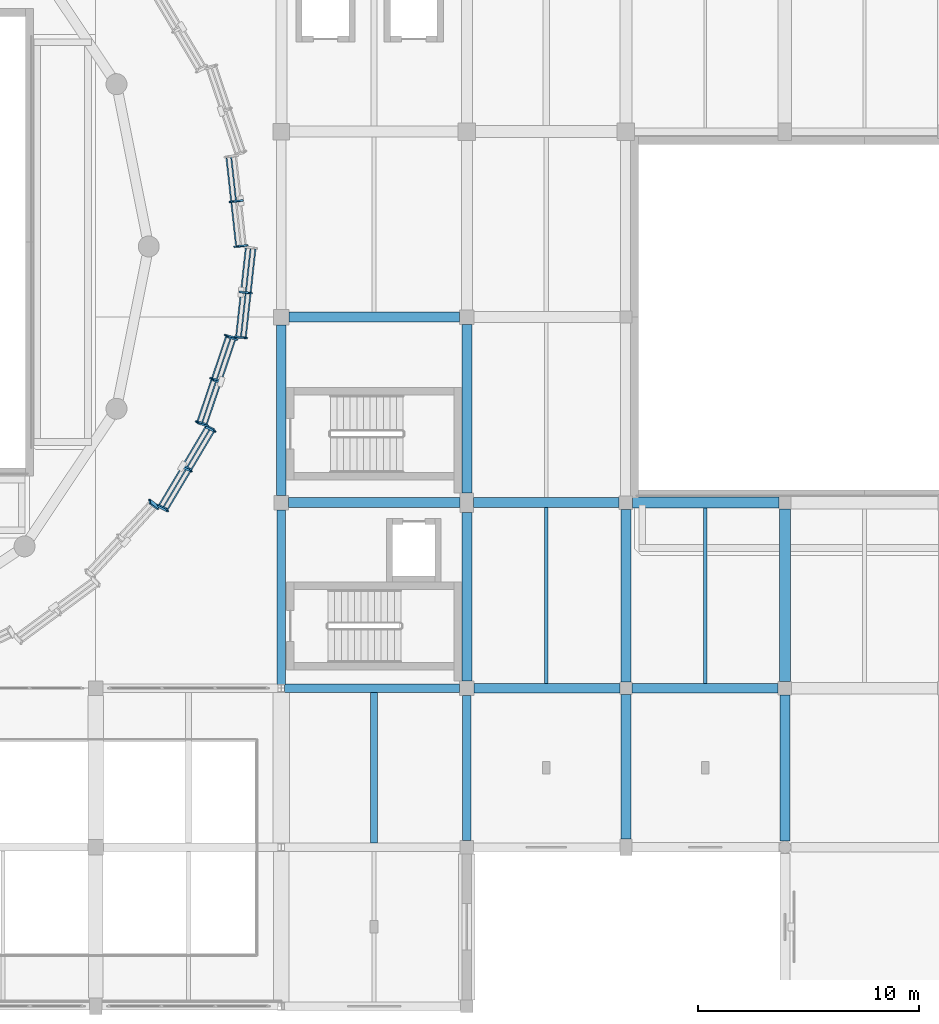
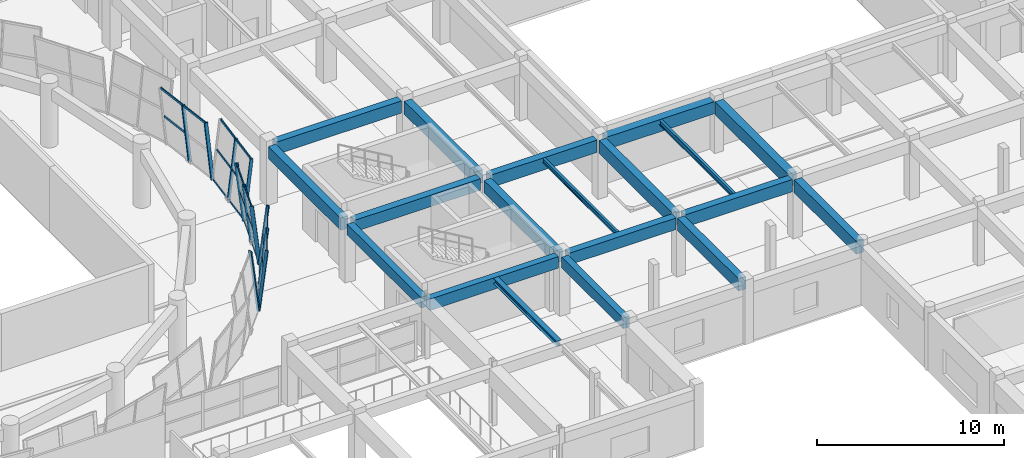
# One storey, part 30 of 71: 32 members, 19 beams, 5 elements without a shape of their own.
"""IFC4 building model written with IfcOpenShell, lengths in metres."""

from ifc_helpers import new_model, si_unit, direction, frame, origin, origin_2d, place, context, subcontext, project, spatial, rectangle, hollow_rectangle, i_section, extrude, material, material_profile, profile_set, type_object, element, aggregate, save


model = new_model("IFC4")

# Units and contexts
model_context = context("Model", 3, precision=1e-05, world=origin(), true_north=direction((0.0, 1.0)))
body_context = subcontext(model_context, "Body", "Model", "MODEL_VIEW")
ifc_project = project(units=[si_unit("LENGTHUNIT", "METRE"), si_unit("AREAUNIT", "SQUARE_METRE"), si_unit("VOLUMEUNIT", "CUBIC_METRE"), si_unit("PLANEANGLEUNIT", "RADIAN"), si_unit("MASSUNIT", "GRAM", prefix="KILO")], contexts=[model_context])

# Site, building, storey
site_placement = place(None, origin())
site = spatial("IfcSite", under=ifc_project, at=site_placement, CompositionType="ELEMENT")
building_placement = place(site_placement, origin())
building = spatial("IfcBuilding", under=site, at=building_placement, Name="Korsvaeld Concert Hall", CompositionType="ELEMENT")
storey_placement = place(building_placement, frame((0.0, 0.0, 4.800048828125)))
storey = spatial("IfcBuildingStorey", under=building, at=storey_placement, Name="L01", CompositionType="ELEMENT", Elevation=4.800048828125)

# Beams
ifc_material_1 = material(Name="Concrete C35/45", Category="concrete")
ifc_material_profile_1 = material_profile(ifc_material_1, rectangle(XDim=0.39990234375, YDim=0.699951171875, at=origin_2d()), Name="RC 400x700")
ifc_profile_set_1 = profile_set([ifc_material_profile_1], Name="Concrete C35/45")
beam_type_1 = type_object("IfcBeamType", Name="BM-RC-400x700", PredefinedType="T_BEAM", material=ifc_profile_set_1)
beam_1_placement = place(storey_placement, frame((109.199951171875, 43.3798828125, 3.489990234375), z_axis=(0.0, 1.0, 0.0), x_axis=(-1.0, 0.0, 0.0)))
element("IfcBeam", 1, at=beam_1_placement, inside=storey, type_object=beam_type_1, Name="Primary girder 15/G-H L01", PredefinedType="T_BEAM", context=body_context, shape_type="SweptSolid", body=[
    extrude(rectangle(XDim=0.39990234375, YDim=0.699951171875, at=origin_2d()), origin(), (0.0, 0.0, 1.0), 7.89501953125),
])
beam_2_placement = place(storey_placement, frame((117.60009765625, 36.300048828125, 3.489990234375), z_axis=(0.0, 1.0, 0.0), x_axis=(-1.0, 0.0, 0.0)))
element("IfcBeam", 2, at=beam_2_placement, inside=storey, type_object=beam_type_1, Name="Primary girder 16/F-G L01", PredefinedType="T_BEAM", context=body_context, shape_type="SweptSolid", body=[
    extrude(rectangle(XDim=0.39990234375, YDim=0.699951171875, at=origin_2d()), origin(), (0.0, 0.0, 1.0), 6.574951171875),
])
ifc_material_profile_2 = material_profile(ifc_material_1, rectangle(XDim=0.39990234375, YDim=0.75, at=origin_2d()), Name="RC 400x750")
ifc_profile_set_2 = profile_set([ifc_material_profile_2], Name="Concrete C35/45")
beam_type_2 = type_object("IfcBeamType", Name="BM-RC-400x750", PredefinedType="T_BEAM", material=ifc_profile_set_2)
beam_3_placement = place(storey_placement, frame((109.35009765625, 43.199951171875, 3.46484375), z_axis=(1.0, 0.0, 0.0), x_axis=(0.0, 1.0, 0.0)))
element("IfcBeam", 3, at=beam_3_placement, inside=storey, type_object=beam_type_2, Name="Primary girder 15-16/G L01", PredefinedType="T_BEAM", context=body_context, shape_type="SweptSolid", body=[
    extrude(rectangle(XDim=0.39990234375, YDim=0.75, at=origin_2d()), origin(), (0.0, 0.0, 1.0), 7.9248046875),
])
ifc_material_profile_3 = material_profile(ifc_material_1, rectangle(XDim=0.449951171875, YDim=0.75, at=origin_2d()), Name="RC 450x750")
ifc_profile_set_3 = profile_set([ifc_material_profile_3], Name="Concrete C35/45")
beam_type_3 = type_object("IfcBeamType", Name="BM-RC-450x750", PredefinedType="T_BEAM", material=ifc_profile_set_3)
beam_4_placement = place(storey_placement, frame((117.925048828125, 43.199951171875, 3.46484375), z_axis=(1.0, 0.0, 0.0), x_axis=(0.0, 1.0, 0.0)))
element("IfcBeam", 4, at=beam_4_placement, inside=storey, type_object=beam_type_3, Name="Primary girder 16-17/G L01", PredefinedType="T_BEAM", context=body_context, shape_type="SweptSolid", body=[
    extrude(rectangle(XDim=0.449951171875, YDim=0.75, at=origin_2d()), origin(), (0.0, 0.0, 1.0), 6.599853515625),
])
beam_5_placement = place(storey_placement, frame((109.52490234375, 51.60009765625, 3.46484375), z_axis=(1.0, 0.0, 0.0), x_axis=(0.0, 1.0, 0.0)))
element("IfcBeam", 5, at=beam_5_placement, inside=storey, type_object=beam_type_3, Name="Primary girder 15-16/H L01", PredefinedType="T_BEAM", context=body_context, shape_type="SweptSolid", body=[
    extrude(rectangle(XDim=0.449951171875, YDim=0.75, at=origin_2d()), origin(), (0.0, 0.0, 1.0), 7.775146484375),
])
ifc_material_profile_4 = material_profile(ifc_material_1, rectangle(XDim=0.449951171875, YDim=0.800048828125, at=origin_2d()), Name="RC 450x800")
ifc_profile_set_4 = profile_set([ifc_material_profile_4], Name="Concrete C35/45")
beam_type_4 = type_object("IfcBeamType", Name="BM-RC-450x800", PredefinedType="T_BEAM", material=ifc_profile_set_4)
beam_6_placement = place(storey_placement, frame((125.074951171875, 43.199951171875, 3.43994140625), z_axis=(1.0, 0.0, 0.0), x_axis=(0.0, 1.0, 0.0)))
element("IfcBeam", 6, at=beam_6_placement, inside=storey, type_object=beam_type_4, Name="Primary girder 17-18/G L01", PredefinedType="T_BEAM", context=body_context, shape_type="SweptSolid", body=[
    extrude(rectangle(XDim=0.449951171875, YDim=0.800048828125, at=origin_2d()), origin(), (0.0, 0.0, 1.0), 6.625),
])
beam_7_placement = place(storey_placement, frame((117.89990234375, 51.60009765625, 3.43994140625), z_axis=(1.0, 0.0, 0.0), x_axis=(0.0, 1.0, 0.0)))
element("IfcBeam", 7, at=beam_7_placement, inside=storey, type_object=beam_type_4, Name="Primary girder 16-17/H L01", PredefinedType="T_BEAM", context=body_context, shape_type="SweptSolid", body=[
    extrude(rectangle(XDim=0.449951171875, YDim=0.800048828125, at=origin_2d()), origin(), (0.0, 0.0, 1.0), 6.60009765625),
])
for number, where, z_axis, x_axis, name in (
    (8, (109.550048828125, 60.0, 3.43994140625), (1.0, 0.0, 0.0), (0.0, 1.0, 0.0), "Primary girder 15-16/J L01"),
    (9, (109.199951171875, 51.925048828125, 3.43994140625), (0.0, 1.0, 0.0), (-1.0, 0.0, 0.0), "Primary girder 15/H-J L01"),
):
    element("IfcBeam", number, at=place(storey_placement, frame(where, z_axis=z_axis, x_axis=x_axis)), inside=storey, type_object=beam_type_4, Name=name, PredefinedType="T_BEAM", context=body_context, shape_type="SweptSolid", body=[
        extrude(rectangle(XDim=0.449951171875, YDim=0.800048828125, at=origin_2d()), origin(), (0.0, 0.0, 1.0), 7.724853515625),
    ])
beam_8_placement = place(storey_placement, frame((117.60009765625, 43.52490234375, 3.43994140625), z_axis=(0.0, 1.0, 0.0), x_axis=(-1.0, 0.0, 0.0)))
element("IfcBeam", 10, at=beam_8_placement, inside=storey, type_object=beam_type_4, Name="Primary girder 16/G-H L01", PredefinedType="T_BEAM", context=body_context, shape_type="SweptSolid", body=[
    extrude(rectangle(XDim=0.449951171875, YDim=0.800048828125, at=origin_2d()), origin(), (0.0, 0.0, 1.0), 7.625),
])
beam_9_placement = place(storey_placement, frame((124.800048828125, 36.375, 3.43994140625), z_axis=(0.0, 1.0, 0.0), x_axis=(-1.0, 0.0, 0.0)))
element("IfcBeam", 11, at=beam_9_placement, inside=storey, type_object=beam_type_4, Name="Primary girder 17/F-G L01", PredefinedType="T_BEAM", context=body_context, shape_type="SweptSolid", body=[
    extrude(rectangle(XDim=0.449951171875, YDim=0.800048828125, at=origin_2d()), origin(), (0.0, 0.0, 1.0), 6.550048828125),
])
ifc_material_2 = material(Name="Concrete C40/50", Category="concrete")
ifc_material_profile_5 = material_profile(ifc_material_2, rectangle(XDim=0.449951171875, YDim=0.85009765625, at=origin_2d()), Name="RC 450x850")
ifc_profile_set_5 = profile_set([ifc_material_profile_5], Name="Concrete C40/50")
beam_type_5 = type_object("IfcBeamType", Name="BM-RC-450x850", PredefinedType="T_BEAM", material=ifc_profile_set_5)
beam_10_placement = place(storey_placement, frame((117.60009765625, 52.050048828125, 3.4150390625), z_axis=(0.0, 1.0, 0.0), x_axis=(-1.0, 0.0, 0.0)))
element("IfcBeam", 12, at=beam_10_placement, inside=storey, type_object=beam_type_5, Name="Primary girder 16/H-J L01", PredefinedType="T_BEAM", context=body_context, shape_type="SweptSolid", body=[
    extrude(rectangle(XDim=0.449951171875, YDim=0.85009765625, at=origin_2d()), origin(), (0.0, 0.0, 1.0), 7.625),
])
beam_11_placement = place(storey_placement, frame((124.800048828125, 43.47509765625, 3.4150390625), z_axis=(0.0, 1.0, 0.0), x_axis=(-1.0, 0.0, 0.0)))
element("IfcBeam", 13, at=beam_11_placement, inside=storey, type_object=beam_type_5, Name="Primary girder 17/G-H L01", PredefinedType="T_BEAM", context=body_context, shape_type="SweptSolid", body=[
    extrude(rectangle(XDim=0.449951171875, YDim=0.85009765625, at=origin_2d()), origin(), (0.0, 0.0, 1.0), 7.824951171875),
])
beam_12_placement = place(storey_placement, frame((132.0, 36.27490234375, 3.4150390625), z_axis=(0.0, 1.0, 0.0), x_axis=(-1.0, 0.0, 0.0)))
element("IfcBeam", 14, at=beam_12_placement, inside=storey, type_object=beam_type_5, Name="Primary girder 18/F-G L01", PredefinedType="T_BEAM", context=body_context, shape_type="SweptSolid", body=[
    extrude(rectangle(XDim=0.449951171875, YDim=0.85009765625, at=origin_2d()), origin(), (0.0, 0.0, 1.0), 6.625),
])
ifc_material_profile_6 = material_profile(ifc_material_2, rectangle(XDim=0.5, YDim=0.800048828125, at=origin_2d()), Name="RC 500x800")
ifc_profile_set_6 = profile_set([ifc_material_profile_6], Name="Concrete C40/50")
beam_type_6 = type_object("IfcBeamType", Name="BM-RC-500x800", PredefinedType="T_BEAM", material=ifc_profile_set_6)
beam_13_placement = place(storey_placement, frame((125.10009765625, 51.60009765625, 3.43994140625), z_axis=(1.0, 0.0, 0.0), x_axis=(0.0, 1.0, 0.0)))
element("IfcBeam", 15, at=beam_13_placement, inside=storey, type_object=beam_type_6, Name="Primary girder 17-18/H L01", PredefinedType="T_BEAM", context=body_context, shape_type="SweptSolid", body=[
    extrude(rectangle(XDim=0.5, YDim=0.800048828125, at=origin_2d()), origin(), (0.0, 0.0, 1.0), 6.625),
])
ifc_material_profile_7 = material_profile(ifc_material_2, rectangle(XDim=0.5, YDim=0.85009765625, at=origin_2d()), Name="RC 500x850")
ifc_profile_set_7 = profile_set([ifc_material_profile_7], Name="Concrete C40/50")
beam_type_7 = type_object("IfcBeamType", Name="BM-RC-500x850", PredefinedType="T_BEAM", material=ifc_profile_set_7)
beam_14_placement = place(storey_placement, frame((132.0, 43.5, 3.4150390625), z_axis=(0.0, 1.0, 0.0), x_axis=(-1.0, 0.0, 0.0)))
element("IfcBeam", 16, at=beam_14_placement, inside=storey, type_object=beam_type_7, Name="Primary girder 18/G-H L01", PredefinedType="T_BEAM", context=body_context, shape_type="SweptSolid", body=[
    extrude(rectangle(XDim=0.5, YDim=0.85009765625, at=origin_2d()), origin(), (0.0, 0.0, 1.0), 7.824951171875),
])
ifc_material_3 = material(Name="Steel S355J2", Category="steel")
ifc_material_profile_8 = material_profile(ifc_material_3, i_section(OverallWidth=0.300048828125, OverallDepth=0.35009765625, WebThickness=0.010009765625, FlangeThickness=0.017578125, FilletRadius=0.027099609375, at=origin_2d()), Name="HEA 360")
ifc_profile_set_8 = profile_set([ifc_material_profile_8], Name="Steel S355J2")
beam_type_8 = type_object("IfcBeamType", Name="BM-STL-HEA360", PredefinedType="BEAM", material=ifc_profile_set_8)
beam_15_placement = place(storey_placement, frame((113.39990234375, 36.199951171875, 3.6650390625), z_axis=(0.0, 1.0, 0.0), x_axis=(-1.0, 0.0, 0.0)))
element("IfcBeam", 17, at=beam_15_placement, inside=storey, type_object=beam_type_8, Name="Secondary steel floor beam 15-16/F L01", PredefinedType="BEAM", context=body_context, shape_type="SweptSolid", body=[
    extrude(i_section(OverallWidth=0.300048828125, OverallDepth=0.35009765625, WebThickness=0.010009765625, FlangeThickness=0.017578125, FilletRadius=0.027099609375, at=origin_2d()), origin(), (0.0, 0.0, 1.0), 6.800048828125),
])
ifc_material_profile_9 = material_profile(ifc_material_3, i_section(OverallWidth=0.14990234375, OverallDepth=0.300048828125, WebThickness=0.007080078125, FlangeThickness=0.0107421875, FilletRadius=0.014892578125, at=origin_2d()), Name="IPE 300")
ifc_profile_set_9 = profile_set([ifc_material_profile_9], Name="Steel S355J2")
beam_type_9 = type_object("IfcBeamType", Name="BM-STL-IPE300", PredefinedType="JOIST", material=ifc_profile_set_9)
beam_16_placement = place(storey_placement, frame((121.199951171875, 43.425048828125, 3.68994140625), z_axis=(0.0, 1.0, 0.0), x_axis=(-1.0, 0.0, 0.0)))
element("IfcBeam", 18, at=beam_16_placement, inside=storey, type_object=beam_type_9, Name="Secondary steel floor beam 16-17/G L01", PredefinedType="JOIST", context=body_context, shape_type="SweptSolid", body=[
    extrude(i_section(OverallWidth=0.14990234375, OverallDepth=0.300048828125, WebThickness=0.007080078125, FlangeThickness=0.0107421875, FilletRadius=0.014892578125, at=origin_2d()), origin(), (0.0, 0.0, 1.0), 7.949951171875),
])
ifc_material_profile_10 = material_profile(ifc_material_3, i_section(OverallWidth=0.159912109375, OverallDepth=0.330078125, WebThickness=0.007568359375, FlangeThickness=0.011474609375, FilletRadius=0.01806640625, at=origin_2d()), Name="IPE 330")
ifc_profile_set_10 = profile_set([ifc_material_profile_10], Name="Steel S355J2")
beam_type_10 = type_object("IfcBeamType", Name="BM-STL-IPE330", PredefinedType="BEAM", material=ifc_profile_set_10)
beam_17_placement = place(storey_placement, frame((128.39990234375, 43.425048828125, 3.675048828125), z_axis=(0.0, 1.0, 0.0), x_axis=(-1.0, 0.0, 0.0)))
element("IfcBeam", 19, at=beam_17_placement, inside=storey, type_object=beam_type_10, Name="Secondary steel floor beam 17-18/G L01", PredefinedType="BEAM", context=body_context, shape_type="SweptSolid", body=[
    extrude(i_section(OverallWidth=0.159912109375, OverallDepth=0.330078125, WebThickness=0.007568359375, FlangeThickness=0.011474609375, FilletRadius=0.01806640625, at=origin_2d()), origin(), (0.0, 0.0, 1.0), 7.925048828125),
])

# Curtain wall, members
ifc_material_4 = material(Name="Anodised bronze and ceramic-fritted safety glass", Category="glass")
curtain_wall_type_1 = type_object("IfcCurtainWallType", Name="CW-TYPE-06", PredefinedType="USERDEFINED", material=ifc_material_4)
curtain_wall_1_placement = place(storey_placement, origin())
curtain_wall_1 = element("IfcCurtainWall", 20, at=curtain_wall_1_placement, inside=storey, type_object=curtain_wall_type_1, Name="Crystal curtain-wall facet L01 F30", ObjectType="CURTAIN WALL", PredefinedType="USERDEFINED")
ifc_material_5 = material(Name="Anodised architectural bronze aluminium", Category="aluminium")
ifc_material_profile_11 = material_profile(ifc_material_5, hollow_rectangle(XDim=0.074951171875, YDim=0.179931640625, WallThickness=0.0048828125, at=origin_2d()), Name="CWM 180x75x5")
ifc_profile_set_11 = profile_set([ifc_material_profile_11], Name="Anodised architectural bronze aluminium")
member_type_1 = type_object("IfcMemberType", Name="CWM-BRONZE-180x75", PredefinedType="MULLION", material=ifc_profile_set_11)
member_1_placement = place(storey_placement, frame((103.641845703125, 51.4541015625, 0.0), z_axis=(0.102033137454, -0.049015918973, 0.993572684079), x_axis=(-0.830085566012, -0.554623769939, 0.057882872395)))
member_1 = element("IfcMember", 21, at=member_1_placement, type_object=member_type_1, Name="CW-CRYS-L01-F30 crystal mullion 1", PredefinedType="MULLION", context=body_context, shape_type="SweptSolid", body=[
    extrude(hollow_rectangle(XDim=0.074951171875, YDim=0.179931640625, WallThickness=0.0048828125, at=origin_2d()), origin(), (0.0, 0.0, 1.0), 3.905029296875),
])
member_2_placement = place(storey_placement, frame((104.713134765625, 53.25439453125, 0.0), z_axis=(0.102033449935, -0.04895354859, 0.993575726945), x_axis=(-0.829810679162, -0.555036387008, 0.057869213275)))
member_2 = element("IfcMember", 22, at=member_2_placement, type_object=member_type_1, Name="CW-CRYS-L01-F30 crystal mullion 2", PredefinedType="MULLION", context=body_context, shape_type="SweptSolid", body=[
    extrude(hollow_rectangle(XDim=0.074951171875, YDim=0.179931640625, WallThickness=0.0048828125, at=origin_2d()), origin(), (0.0, 0.0, 1.0), 3.905029296875),
])
member_3_placement = place(storey_placement, frame((105.784423828125, 55.054931640625, 0.0), z_axis=(0.102033137454, -0.049015918973, 0.993572684079), x_axis=(-0.830085566012, -0.554623769939, 0.057882872395)))
member_3 = element("IfcMember", 23, at=member_3_placement, type_object=member_type_1, Name="CW-CRYS-L01-F30 crystal mullion 3", PredefinedType="MULLION", context=body_context, shape_type="SweptSolid", body=[
    extrude(hollow_rectangle(XDim=0.074951171875, YDim=0.179931640625, WallThickness=0.0048828125, at=origin_2d()), origin(), (0.0, 0.0, 1.0), 3.905029296875),
])

curtain_wall_type_2 = type_object("IfcCurtainWallType", Name="CW-TYPE-08", PredefinedType="USERDEFINED", material=ifc_material_4)
curtain_wall_2_placement = place(storey_placement, origin())
curtain_wall_2 = element("IfcCurtainWall", 24, at=curtain_wall_2_placement, inside=storey, type_object=curtain_wall_type_2, Name="Crystal curtain-wall facet L01 F32", ObjectType="CURTAIN WALL", PredefinedType="USERDEFINED")
member_4_placement = place(storey_placement, frame((107.150634765625, 59.101318359375, 0.0), z_axis=(0.112724547991, -0.009940767127, 0.993576548349), x_axis=(-0.195199650678, -0.980685965358, 0.012334250043)))
member_4 = element("IfcMember", 25, at=member_4_placement, type_object=member_type_1, Name="CW-CRYS-L01-F32 crystal mullion 1", PredefinedType="MULLION", context=body_context, shape_type="SweptSolid", body=[
    extrude(hollow_rectangle(XDim=0.074951171875, YDim=0.179931640625, WallThickness=0.0048828125, at=origin_2d()), origin(), (0.0, 0.0, 1.0), 3.905029296875),
])
member_5_placement = place(storey_placement, frame((107.373291015625, 61.132080078125, 0.0), z_axis=(0.112786203132, -0.010003210921, 0.993568924712), x_axis=(-0.195690629409, -0.980588019436, 0.012341543691)))
member_5 = element("IfcMember", 26, at=member_5_placement, type_object=member_type_1, Name="CW-CRYS-L01-F32 crystal mullion 2", PredefinedType="MULLION", context=body_context, shape_type="SweptSolid", body=[
    extrude(hollow_rectangle(XDim=0.074951171875, YDim=0.179931640625, WallThickness=0.0048828125, at=origin_2d()), origin(), (0.0, 0.0, 1.0), 3.905029296875),
])

curtain_wall_type_3 = type_object("IfcCurtainWallType", Name="CW-TYPE-01", PredefinedType="USERDEFINED", material=ifc_material_4)
curtain_wall_3_placement = place(storey_placement, origin())
curtain_wall_3 = element("IfcCurtainWall", 27, at=curtain_wall_3_placement, inside=storey, type_object=curtain_wall_type_3, Name="Crystal curtain-wall facet L01 F01", ObjectType="CURTAIN WALL", PredefinedType="USERDEFINED")
ifc_material_profile_12 = material_profile(ifc_material_5, hollow_rectangle(XDim=0.074951171875, YDim=0.219970703125, WallThickness=0.006103515625, at=origin_2d()), Name="CWM 220x75x6")
ifc_profile_set_12 = profile_set([ifc_material_profile_12], Name="Anodised architectural bronze aluminium")
member_type_2 = type_object("IfcMemberType", Name="CWM-BRONZE-220x75", PredefinedType="MULLION", material=ifc_profile_set_12)
member_6_placement = place(storey_placement, frame((107.595947265625, 63.2373046875, 0.0), z_axis=(-0.112786203132, -0.010003210921, 0.993568924712), x_axis=(-0.195690629409, 0.980588019436, -0.012341543691)))
member_6 = element("IfcMember", 28, at=member_6_placement, type_object=member_type_2, Name="CW-CRYS-L01-F01 crystal mullion 1", PredefinedType="MULLION", context=body_context, shape_type="SweptSolid", body=[
    extrude(hollow_rectangle(XDim=0.074951171875, YDim=0.219970703125, WallThickness=0.006103515625, at=origin_2d()), origin(), (0.0, 0.0, 1.0), 3.905029296875),
])
member_7_placement = place(storey_placement, frame((107.373291015625, 65.26806640625, 0.0), z_axis=(-0.112786203132, -0.010003210921, 0.993568924712), x_axis=(-0.195690629409, 0.980588019436, -0.012341543691)))
member_7 = element("IfcMember", 29, at=member_7_placement, type_object=member_type_2, Name="CW-CRYS-L01-F01 crystal mullion 2", PredefinedType="MULLION", context=body_context, shape_type="SweptSolid", body=[
    extrude(hollow_rectangle(XDim=0.074951171875, YDim=0.219970703125, WallThickness=0.006103515625, at=origin_2d()), origin(), (0.0, 0.0, 1.0), 3.905029296875),
])

# Curtain wall, member
curtain_wall_type_4 = type_object("IfcCurtainWallType", Name="CW-TYPE-05", PredefinedType="USERDEFINED", material=ifc_material_4)
curtain_wall_4_placement = place(storey_placement, origin())
curtain_wall_4 = element("IfcCurtainWall", 30, at=curtain_wall_4_placement, inside=storey, type_object=curtain_wall_type_4, Name="Crystal curtain-wall facet L01 F29", ObjectType="CURTAIN WALL", PredefinedType="USERDEFINED")
member_8_placement = place(storey_placement, frame((103.597412109375, 51.394287109375, 0.0), z_axis=(-0.091092396556, 0.067147037681, 0.993576092013), x_axis=(0.977499972004, 0.19664090034, 0.076329293496)))
member_8 = element("IfcMember", 31, at=member_8_placement, type_object=member_type_2, Name="CW-CRYS-L01-F29 crystal mullion 3", PredefinedType="MULLION", context=body_context, shape_type="SweptSolid", body=[
    extrude(hollow_rectangle(XDim=0.074951171875, YDim=0.219970703125, WallThickness=0.006103515625, at=origin_2d()), origin(), (0.0, 0.0, 1.0), 3.905029296875),
])
aggregate(curtain_wall_4, [member_8])

# Curtain wall, members
curtain_wall_type_5 = type_object("IfcCurtainWallType", Name="CW-TYPE-07", PredefinedType="USERDEFINED", material=ifc_material_4)
curtain_wall_5_placement = place(storey_placement, origin())
curtain_wall_5 = element("IfcCurtainWall", 32, at=curtain_wall_5_placement, inside=storey, type_object=curtain_wall_type_5, Name="Crystal curtain-wall facet L01 F31", ObjectType="CURTAIN WALL", PredefinedType="USERDEFINED")
member_9_placement = place(storey_placement, frame((105.815673828125, 55.12255859375, 0.0), z_axis=(-0.109222864708, 0.029759635719, 0.993571703455), x_axis=(0.555751470455, 0.830559253027, 0.036216436851)))
member_9 = element("IfcMember", 33, at=member_9_placement, type_object=member_type_2, Name="CW-CRYS-L01-F31 crystal mullion 1", PredefinedType="MULLION", context=body_context, shape_type="SweptSolid", body=[
    extrude(hollow_rectangle(XDim=0.074951171875, YDim=0.219970703125, WallThickness=0.006103515625, at=origin_2d()), origin(), (0.0, 0.0, 1.0), 3.905029296875),
])
member_10_placement = place(storey_placement, frame((106.47509765625, 57.07568359375, 0.0), z_axis=(-0.109222864708, 0.029759635719, 0.993571703455), x_axis=(0.555751470455, 0.830559253027, 0.036216436851)))
member_10 = element("IfcMember", 34, at=member_10_placement, type_object=member_type_2, Name="CW-CRYS-L01-F31 crystal mullion 2", PredefinedType="MULLION", context=body_context, shape_type="SweptSolid", body=[
    extrude(hollow_rectangle(XDim=0.074951171875, YDim=0.219970703125, WallThickness=0.006103515625, at=origin_2d()), origin(), (0.0, 0.0, 1.0), 3.905029296875),
])
member_11_placement = place(storey_placement, frame((107.134521484375, 59.028564453125, 0.0), z_axis=(-0.109222864708, 0.029759635719, 0.993571703455), x_axis=(0.555751470455, 0.830559253027, 0.036216436851)))
member_11 = element("IfcMember", 35, at=member_11_placement, type_object=member_type_2, Name="CW-CRYS-L01-F31 crystal mullion 3", PredefinedType="MULLION", context=body_context, shape_type="SweptSolid", body=[
    extrude(hollow_rectangle(XDim=0.074951171875, YDim=0.219970703125, WallThickness=0.006103515625, at=origin_2d()), origin(), (0.0, 0.0, 1.0), 3.905029296875),
])

# Member
ifc_material_profile_13 = material_profile(ifc_material_5, hollow_rectangle(XDim=0.06005859375, YDim=0.139892578125, WallThickness=0.00390625, at=origin_2d()), Name="CWT 140x60x4")
ifc_profile_set_13 = profile_set([ifc_material_profile_13], Name="Anodised architectural bronze aluminium")
member_type_3 = type_object("IfcMemberType", Name="CWT-BRONZE-140x60", PredefinedType="USERDEFINED", material=ifc_profile_set_13)
member_12_placement = place(storey_placement, frame((107.15478515625, 63.23583984375, 3.849853515625), z_axis=(-0.108933482058, 0.994049041289, 0.0), x_axis=(-0.994049041289, -0.108933482058, 0.0)))
member_12 = element("IfcMember", 36, at=member_12_placement, type_object=member_type_3, Name="CW-CRYS-L01-F01 crystal transom 1.3", ObjectType="TRANSOM", PredefinedType="USERDEFINED", context=body_context, shape_type="SweptSolid", body=[
    extrude(hollow_rectangle(XDim=0.06005859375, YDim=0.139892578125, WallThickness=0.00390625, at=origin_2d()), origin(), (0.0, 0.0, 1.0), 1.9677734375),
])

member_13_placement = place(storey_placement, frame((107.14892578125, 65.28564453125, 1.93994140625), z_axis=(-0.108920048755, 0.994050513294, 0.0), x_axis=(-0.994050513294, -0.108920048755, 0.0)))
member_13 = element("IfcMember", 37, at=member_13_placement, type_object=member_type_3, Name="CW-CRYS-L01-F01 crystal transom 2.2", ObjectType="TRANSOM", PredefinedType="USERDEFINED", context=body_context, shape_type="SweptSolid", body=[
    extrude(hollow_rectangle(XDim=0.06005859375, YDim=0.139892578125, WallThickness=0.00390625, at=origin_2d()), origin(), (0.0, 0.0, 1.0), 1.968017578125),
])

member_14_placement = place(storey_placement, frame((106.93212890625, 65.2666015625, 3.849853515625), z_axis=(-0.108933482058, 0.994049041289, 0.0), x_axis=(-0.994049041289, -0.108933482058, 0.0)))
member_14 = element("IfcMember", 38, at=member_14_placement, type_object=member_type_3, Name="CW-CRYS-L01-F01 crystal transom 2.3", ObjectType="TRANSOM", PredefinedType="USERDEFINED", context=body_context, shape_type="SweptSolid", body=[
    extrude(hollow_rectangle(XDim=0.06005859375, YDim=0.139892578125, WallThickness=0.00390625, at=origin_2d()), origin(), (0.0, 0.0, 1.0), 1.9677734375),
])

aggregate(curtain_wall_3, [member_6, member_7, member_12, member_13, member_14])

member_15_placement = place(storey_placement, frame((103.6640625, 51.48486328125, 0.030029296875), z_axis=(0.511381861684, 0.859353589357, 0.0), x_axis=(-0.859353589357, 0.511381861684, 0.0)))
member_15 = element("IfcMember", 39, at=member_15_placement, type_object=member_type_3, Name="CW-CRYS-L01-F30 crystal transom 1.1", ObjectType="TRANSOM", PredefinedType="USERDEFINED", context=body_context, shape_type="SweptSolid", body=[
    extrude(hollow_rectangle(XDim=0.06005859375, YDim=0.139892578125, WallThickness=0.00390625, at=origin_2d()), origin(), (0.0, 0.0, 1.0), 2.02001953125),
])

member_16_placement = place(storey_placement, frame((103.8603515625, 51.390625, 1.93994140625), z_axis=(0.511328750939, 0.859385192136, 0.0), x_axis=(-0.859385192136, 0.511328750939, 0.0)))
member_16 = element("IfcMember", 40, at=member_16_placement, type_object=member_type_3, Name="CW-CRYS-L01-F30 crystal transom 1.2", ObjectType="TRANSOM", PredefinedType="USERDEFINED", context=body_context, shape_type="SweptSolid", body=[
    extrude(hollow_rectangle(XDim=0.06005859375, YDim=0.139892578125, WallThickness=0.00390625, at=origin_2d()), origin(), (0.0, 0.0, 1.0), 2.020263671875),
])

member_17_placement = place(storey_placement, frame((104.056396484375, 51.29638671875, 3.849853515625), z_axis=(0.511328750939, 0.859385192136, 0.0), x_axis=(-0.859385192136, 0.511328750939, 0.0)))
member_17 = element("IfcMember", 41, at=member_17_placement, type_object=member_type_3, Name="CW-CRYS-L01-F30 crystal transom 1.3", ObjectType="TRANSOM", PredefinedType="USERDEFINED", context=body_context, shape_type="SweptSolid", body=[
    extrude(hollow_rectangle(XDim=0.06005859375, YDim=0.139892578125, WallThickness=0.00390625, at=origin_2d()), origin(), (0.0, 0.0, 1.0), 2.020263671875),
])

member_18_placement = place(storey_placement, frame((104.7353515625, 53.28515625, 0.030029296875), z_axis=(0.511328750939, 0.859385192136, 0.0), x_axis=(-0.859385192136, 0.511328750939, 0.0)))
member_18 = element("IfcMember", 42, at=member_18_placement, type_object=member_type_3, Name="CW-CRYS-L01-F30 crystal transom 2.1", ObjectType="TRANSOM", PredefinedType="USERDEFINED", context=body_context, shape_type="SweptSolid", body=[
    extrude(hollow_rectangle(XDim=0.06005859375, YDim=0.139892578125, WallThickness=0.00390625, at=origin_2d()), origin(), (0.0, 0.0, 1.0), 2.020263671875),
])

member_19_placement = place(storey_placement, frame((104.931640625, 53.191162109375, 1.93994140625), z_axis=(0.511381861684, 0.859353589357, 0.0), x_axis=(-0.859353589357, 0.511381861684, 0.0)))
member_19 = element("IfcMember", 43, at=member_19_placement, type_object=member_type_3, Name="CW-CRYS-L01-F30 crystal transom 2.2", ObjectType="TRANSOM", PredefinedType="USERDEFINED", context=body_context, shape_type="SweptSolid", body=[
    extrude(hollow_rectangle(XDim=0.06005859375, YDim=0.139892578125, WallThickness=0.00390625, at=origin_2d()), origin(), (0.0, 0.0, 1.0), 2.02001953125),
])

member_20_placement = place(storey_placement, frame((105.127685546875, 53.096923828125, 3.849853515625), z_axis=(0.511381861684, 0.859353589357, 0.0), x_axis=(-0.859353589357, 0.511381861684, 0.0)))
member_20 = element("IfcMember", 44, at=member_20_placement, type_object=member_type_3, Name="CW-CRYS-L01-F30 crystal transom 2.3", ObjectType="TRANSOM", PredefinedType="USERDEFINED", context=body_context, shape_type="SweptSolid", body=[
    extrude(hollow_rectangle(XDim=0.06005859375, YDim=0.139892578125, WallThickness=0.00390625, at=origin_2d()), origin(), (0.0, 0.0, 1.0), 2.02001953125),
])

aggregate(curtain_wall_1, [member_1, member_2, member_3, member_15, member_16, member_17, member_18, member_19, member_20])

member_21_placement = place(storey_placement, frame((105.82421875, 55.1591796875, 0.030029296875), z_axis=(0.319949676143, 0.947434538497, 0.0), x_axis=(-0.947434538497, 0.319949676143, 0.0)))
member_21 = element("IfcMember", 45, at=member_21_placement, type_object=member_type_3, Name="CW-CRYS-L01-F31 crystal transom 1.1", ObjectType="TRANSOM", PredefinedType="USERDEFINED", context=body_context, shape_type="SweptSolid", body=[
    extrude(hollow_rectangle(XDim=0.06005859375, YDim=0.139892578125, WallThickness=0.00390625, at=origin_2d()), origin(), (0.0, 0.0, 1.0), 1.986328125),
])

member_22_placement = place(storey_placement, frame((105.6142578125, 55.21630859375, 1.93994140625), z_axis=(0.319949676143, 0.947434538497, 0.0), x_axis=(-0.947434538497, 0.319949676143, 0.0)))
member_22 = element("IfcMember", 46, at=member_22_placement, type_object=member_type_3, Name="CW-CRYS-L01-F31 crystal transom 1.2", ObjectType="TRANSOM", PredefinedType="USERDEFINED", context=body_context, shape_type="SweptSolid", body=[
    extrude(hollow_rectangle(XDim=0.06005859375, YDim=0.139892578125, WallThickness=0.00390625, at=origin_2d()), origin(), (0.0, 0.0, 1.0), 1.986328125),
])

member_23_placement = place(storey_placement, frame((105.404296875, 55.2734375, 3.849853515625), z_axis=(0.319912420616, 0.947447118912, 0.0), x_axis=(-0.947447118912, 0.319912420616, 0.0)))
member_23 = element("IfcMember", 47, at=member_23_placement, type_object=member_type_3, Name="CW-CRYS-L01-F31 crystal transom 1.3", ObjectType="TRANSOM", PredefinedType="USERDEFINED", context=body_context, shape_type="SweptSolid", body=[
    extrude(hollow_rectangle(XDim=0.06005859375, YDim=0.139892578125, WallThickness=0.00390625, at=origin_2d()), origin(), (0.0, 0.0, 1.0), 1.986572265625),
])

member_24_placement = place(storey_placement, frame((106.483642578125, 57.112060546875, 0.030029296875), z_axis=(0.319949676143, 0.947434538497, 0.0), x_axis=(-0.947434538497, 0.319949676143, 0.0)))
member_24 = element("IfcMember", 48, at=member_24_placement, type_object=member_type_3, Name="CW-CRYS-L01-F31 crystal transom 2.1", ObjectType="TRANSOM", PredefinedType="USERDEFINED", context=body_context, shape_type="SweptSolid", body=[
    extrude(hollow_rectangle(XDim=0.06005859375, YDim=0.139892578125, WallThickness=0.00390625, at=origin_2d()), origin(), (0.0, 0.0, 1.0), 1.986328125),
])

member_25_placement = place(storey_placement, frame((106.273681640625, 57.169189453125, 1.93994140625), z_axis=(0.319912420616, 0.947447118912, 0.0), x_axis=(-0.947447118912, 0.319912420616, 0.0)))
member_25 = element("IfcMember", 49, at=member_25_placement, type_object=member_type_3, Name="CW-CRYS-L01-F31 crystal transom 2.2", ObjectType="TRANSOM", PredefinedType="USERDEFINED", context=body_context, shape_type="SweptSolid", body=[
    extrude(hollow_rectangle(XDim=0.06005859375, YDim=0.139892578125, WallThickness=0.00390625, at=origin_2d()), origin(), (0.0, 0.0, 1.0), 1.986572265625),
])

member_26_placement = place(storey_placement, frame((106.063720703125, 57.2265625, 3.849853515625), z_axis=(0.319949676143, 0.947434538497, 0.0), x_axis=(-0.947434538497, 0.319949676143, 0.0)))
member_26 = element("IfcMember", 50, at=member_26_placement, type_object=member_type_3, Name="CW-CRYS-L01-F31 crystal transom 2.3", ObjectType="TRANSOM", PredefinedType="USERDEFINED", context=body_context, shape_type="SweptSolid", body=[
    extrude(hollow_rectangle(XDim=0.06005859375, YDim=0.139892578125, WallThickness=0.00390625, at=origin_2d()), origin(), (0.0, 0.0, 1.0), 1.986328125),
])

aggregate(curtain_wall_5, [member_9, member_10, member_11, member_21, member_22, member_23, member_24, member_25, member_26])

member_27_placement = place(storey_placement, frame((107.157958984375, 59.138427734375, 0.030029296875), z_axis=(0.10905607732, 0.99403559896, 0.0), x_axis=(-0.99403559896, 0.10905607732, 0.0)))
member_27 = element("IfcMember", 51, at=member_27_placement, type_object=member_type_3, Name="CW-CRYS-L01-F32 crystal transom 1.1", ObjectType="TRANSOM", PredefinedType="USERDEFINED", context=body_context, shape_type="SweptSolid", body=[
    extrude(hollow_rectangle(XDim=0.06005859375, YDim=0.139892578125, WallThickness=0.00390625, at=origin_2d()), origin(), (0.0, 0.0, 1.0), 1.9677734375),
])

member_28_placement = place(storey_placement, frame((107.374755859375, 59.119140625, 1.93994140625), z_axis=(0.10905607732, 0.99403559896, 0.0), x_axis=(-0.99403559896, 0.10905607732, 0.0)))
member_28 = element("IfcMember", 52, at=member_28_placement, type_object=member_type_3, Name="CW-CRYS-L01-F32 crystal transom 1.2", ObjectType="TRANSOM", PredefinedType="USERDEFINED", context=body_context, shape_type="SweptSolid", body=[
    extrude(hollow_rectangle(XDim=0.06005859375, YDim=0.139892578125, WallThickness=0.00390625, at=origin_2d()), origin(), (0.0, 0.0, 1.0), 1.9677734375),
])

member_29_placement = place(storey_placement, frame((107.591552734375, 59.10009765625, 3.849853515625), z_axis=(0.10905607732, 0.99403559896, 0.0), x_axis=(-0.99403559896, 0.10905607732, 0.0)))
member_29 = element("IfcMember", 53, at=member_29_placement, type_object=member_type_3, Name="CW-CRYS-L01-F32 crystal transom 1.3", ObjectType="TRANSOM", PredefinedType="USERDEFINED", context=body_context, shape_type="SweptSolid", body=[
    extrude(hollow_rectangle(XDim=0.06005859375, YDim=0.139892578125, WallThickness=0.00390625, at=origin_2d()), origin(), (0.0, 0.0, 1.0), 1.9677734375),
])

member_30_placement = place(storey_placement, frame((107.380859375, 61.1689453125, 0.030029296875), z_axis=(0.108920048755, 0.994050513294, 0.0), x_axis=(-0.994050513294, 0.108920048755, 0.0)))
member_30 = element("IfcMember", 54, at=member_30_placement, type_object=member_type_3, Name="CW-CRYS-L01-F32 crystal transom 2.1", ObjectType="TRANSOM", PredefinedType="USERDEFINED", context=body_context, shape_type="SweptSolid", body=[
    extrude(hollow_rectangle(XDim=0.06005859375, YDim=0.139892578125, WallThickness=0.00390625, at=origin_2d()), origin(), (0.0, 0.0, 1.0), 1.968017578125),
])

member_31_placement = place(storey_placement, frame((107.597412109375, 61.14990234375, 1.93994140625), z_axis=(0.10905607732, 0.99403559896, 0.0), x_axis=(-0.99403559896, 0.10905607732, 0.0)))
member_31 = element("IfcMember", 55, at=member_31_placement, type_object=member_type_3, Name="CW-CRYS-L01-F32 crystal transom 2.2", ObjectType="TRANSOM", PredefinedType="USERDEFINED", context=body_context, shape_type="SweptSolid", body=[
    extrude(hollow_rectangle(XDim=0.06005859375, YDim=0.139892578125, WallThickness=0.00390625, at=origin_2d()), origin(), (0.0, 0.0, 1.0), 1.9677734375),
])

member_32_placement = place(storey_placement, frame((107.814208984375, 61.130615234375, 3.849853515625), z_axis=(0.10905607732, 0.99403559896, 0.0), x_axis=(-0.99403559896, 0.10905607732, 0.0)))
member_32 = element("IfcMember", 56, at=member_32_placement, type_object=member_type_3, Name="CW-CRYS-L01-F32 crystal transom 2.3", ObjectType="TRANSOM", PredefinedType="USERDEFINED", context=body_context, shape_type="SweptSolid", body=[
    extrude(hollow_rectangle(XDim=0.06005859375, YDim=0.139892578125, WallThickness=0.00390625, at=origin_2d()), origin(), (0.0, 0.0, 1.0), 1.9677734375),
])

aggregate(curtain_wall_2, [member_4, member_5, member_27, member_28, member_29, member_30, member_31, member_32])

save(model, "model.ifc")
